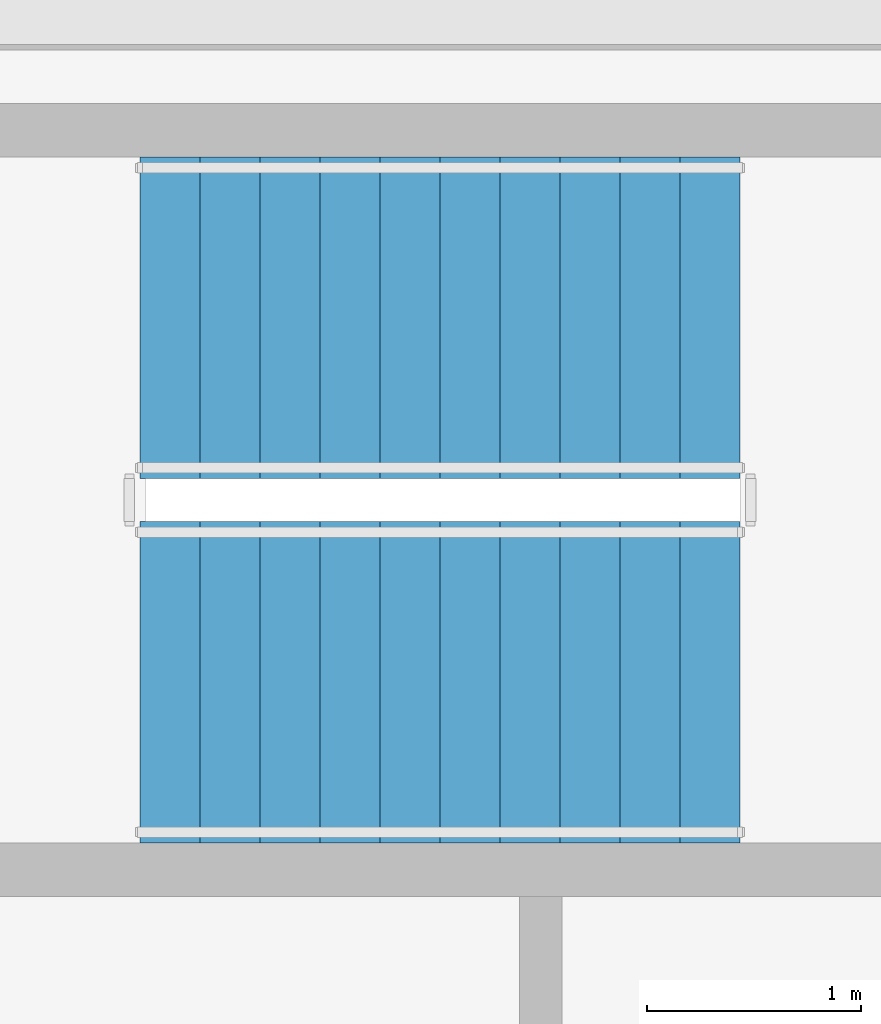
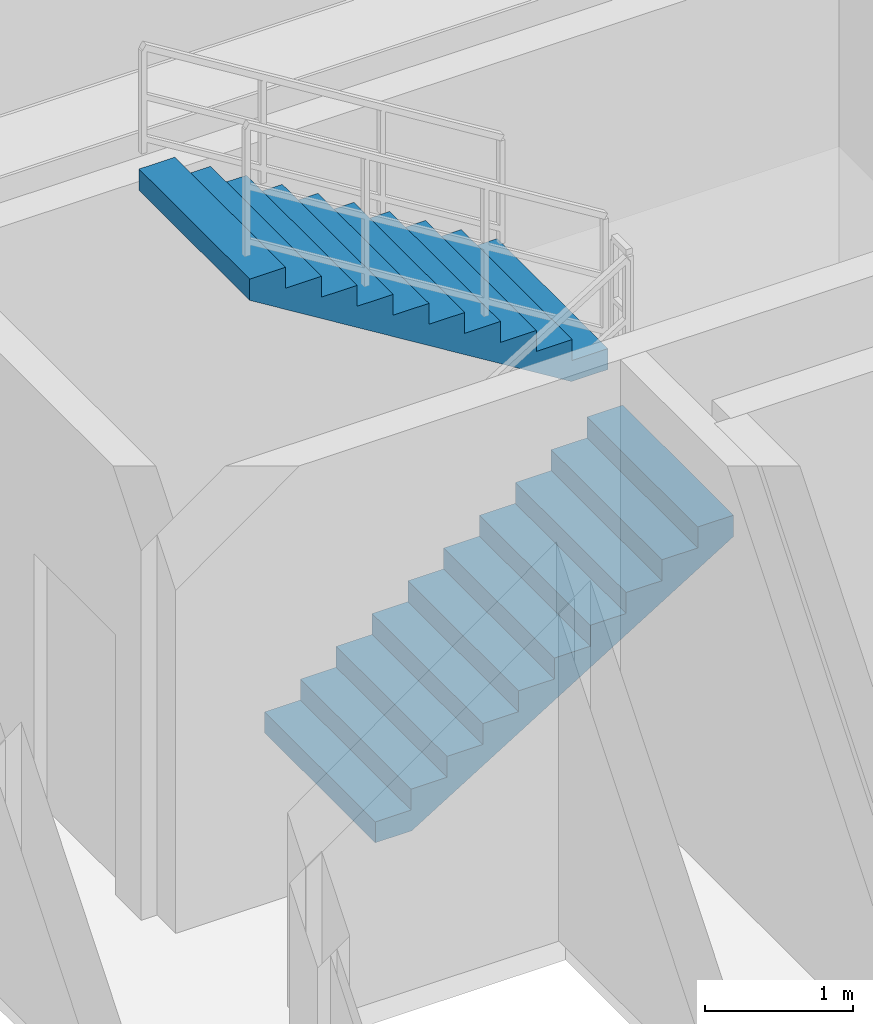
# One storey, part 6 of 9: 2 stair flights, 1 element without a shape of its own.
"""IFC4 building model written with IfcOpenShell, lengths in metres."""

from ifc_helpers import new_model, si_unit, direction, frame, origin, place, context, subcontext, project, spatial, polyline, outline, extrude, material, type_object, element, aggregate, save


model = new_model("IFC4")

# Units and contexts
model_context = context("Model", 3, precision=1e-05, world=origin(), true_north=direction((0.0, 1.0)))
body_context = subcontext(model_context, "Body", "Model", "MODEL_VIEW")
ifc_project = project(units=[si_unit("LENGTHUNIT", "METRE"), si_unit("AREAUNIT", "SQUARE_METRE"), si_unit("VOLUMEUNIT", "CUBIC_METRE"), si_unit("PLANEANGLEUNIT", "RADIAN"), si_unit("MASSUNIT", "GRAM", prefix="KILO")], contexts=[model_context])

# Site, building, storey
site_placement = place(None, origin())
site = spatial("IfcSite", under=ifc_project, at=site_placement, CompositionType="ELEMENT")
building_placement = place(site_placement, origin())
building = spatial("IfcBuilding", under=site, at=building_placement, Name="Zulverin Broadcast Headquarters", CompositionType="ELEMENT")
storey_placement = place(building_placement, frame((0.0, 0.0, 82.0)))
storey = spatial("IfcBuildingStorey", under=building, at=storey_placement, Name="L20", CompositionType="ELEMENT", Elevation=82.0)

# Stair, stair flights
ifc_material = material(Name="Concrete C40/50", Category="concrete")
stair_type = type_object("IfcStairType", Name="ST-CORE-1500", PredefinedType="HALF_TURN_STAIR", material=ifc_material)
stair_placement = place(storey_placement, origin())
stair = element("IfcStair", 1, at=stair_placement, inside=storey, type_object=stair_type, Name="L20 Core Exit Stair ST-1", PredefinedType="HALF_TURN_STAIR")
stair_flight_type = type_object("IfcStairFlightType", Name="SF-CORE-1500", PredefinedType="STRAIGHT", material=ifc_material)
stair_flight_1_placement = place(storey_placement, frame((40.1298828125, 29.800048828125, 0.0), z_axis=(0.0, 0.0, 1.0), x_axis=(1.0, 0.0, 0.0)))
stair_flight_1 = element("IfcStairFlight", 2, at=stair_flight_1_placement, type_object=stair_flight_type, Name="ST-1 flight 1", NumberOfRisers=11, NumberOfTreads=10, PredefinedType="STRAIGHT", RiserHeight=0.172727273, TreadLength=0.28, context=body_context, shape_type="SweptSolid", body=[
    extrude(outline(polyline([(0.0, 0.0), (0.0, 0.172607421875), (0.280029296875, 0.172607421875), (0.280029296875, 0.345458984375), (0.56005859375, 0.345458984375), (0.56005859375, 0.51806640625), (0.840087890625, 0.51806640625), (0.840087890625, 0.69091796875), (1.1201171875, 0.69091796875), (1.1201171875, 0.863525390625), (1.39990234375, 0.863525390625), (1.39990234375, 1.036376953125), (1.679931640625, 1.036376953125), (1.679931640625, 1.208984375), (1.9599609375, 1.208984375), (1.9599609375, 1.3818359375), (2.239990234375, 1.3818359375), (2.239990234375, 1.554443359375), (2.52001953125, 1.554443359375), (2.52001953125, 1.727294921875), (2.800048828125, 1.727294921875), (2.800048828125, 1.89990234375), (2.800048828125, 1.551025390625), (0.285400390625, 0.0), (0.0, 0.0)])), frame((0.0, 0.75, 0.0), z_axis=(0.0, -1.0, 0.0), x_axis=(1.0, 0.0, 0.0)), (0.0, 0.0, 1.0), 1.5),
])
stair_flight_2_placement = place(storey_placement, frame((42.929931640625, 31.5, 1.89990234375), z_axis=(0.0, 0.0, 1.0), x_axis=(-1.0, 0.0, 0.0)))
stair_flight_2 = element("IfcStairFlight", 3, at=stair_flight_2_placement, type_object=stair_flight_type, Name="ST-1 flight 2", NumberOfRisers=11, NumberOfTreads=10, PredefinedType="STRAIGHT", RiserHeight=0.172727273, TreadLength=0.28, context=body_context, shape_type="SweptSolid", body=[
    extrude(outline(polyline([(0.0, 0.0), (0.0, 0.172607421875), (0.280029296875, 0.172607421875), (0.280029296875, 0.345458984375), (0.56005859375, 0.345458984375), (0.56005859375, 0.51806640625), (0.840087890625, 0.51806640625), (0.840087890625, 0.69091796875), (1.1201171875, 0.69091796875), (1.1201171875, 0.863525390625), (1.39990234375, 0.863525390625), (1.39990234375, 1.036376953125), (1.679931640625, 1.036376953125), (1.679931640625, 1.208984375), (1.9599609375, 1.208984375), (1.9599609375, 1.3818359375), (2.239990234375, 1.3818359375), (2.239990234375, 1.554443359375), (2.52001953125, 1.554443359375), (2.52001953125, 1.727294921875), (2.800048828125, 1.727294921875), (2.800048828125, 1.89990234375), (2.800048828125, 1.551025390625), (0.285400390625, 0.0), (0.0, 0.0)])), frame((0.0, 0.75, 0.0), z_axis=(0.0, -1.0, 0.0), x_axis=(1.0, 0.0, 0.0)), (0.0, 0.0, 1.0), 1.5),
])
aggregate(stair, [stair_flight_1, stair_flight_2])

save(model, "model.ifc")
